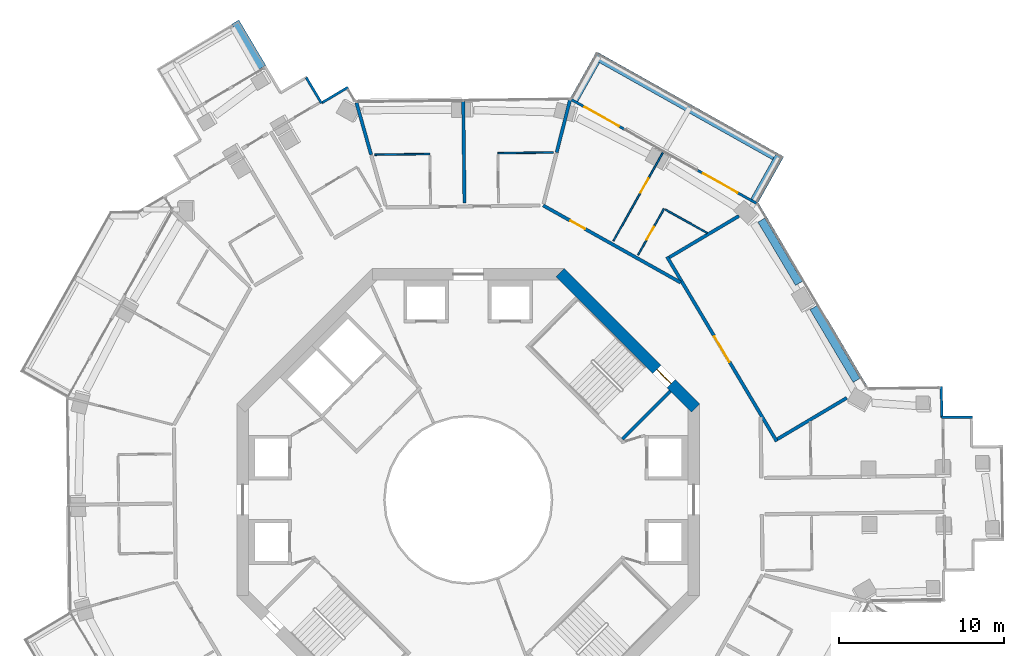
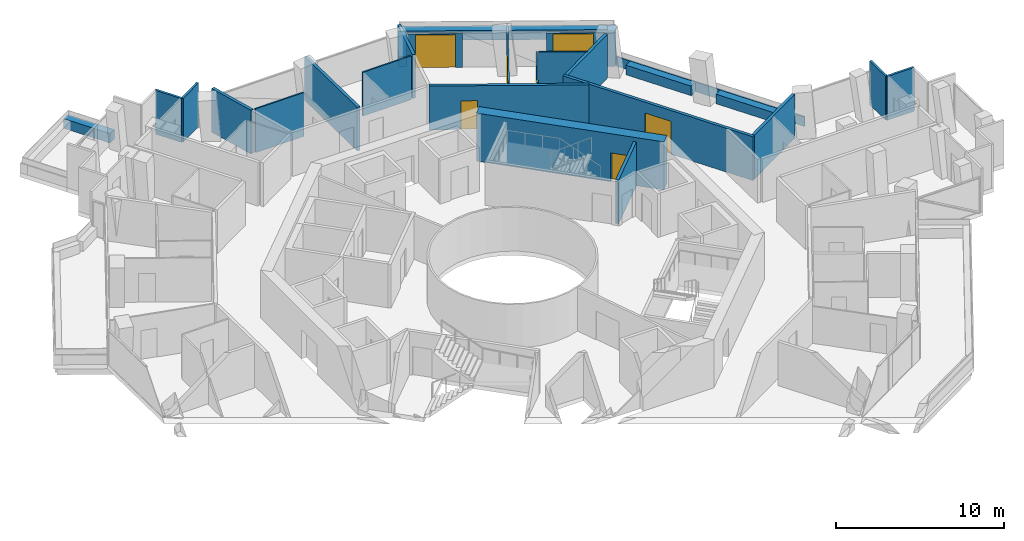
# One storey, part 18 of 21: 27 walls, 7 doors, 7 openings.
"""IFC4 building model written with IfcOpenShell, lengths in metres."""

from ifc_helpers import new_model, si_unit, direction, frame, frame_2d, origin, place, context, subcontext, project, spatial, rectangle, extrude, material, layer, layer_set, type_object, element, fill, save


model = new_model("IFC4")

# Units and contexts
model_context = context("Model", 3, precision=1e-05, world=origin(), true_north=direction((0.0, 1.0)))
body_context = subcontext(model_context, "Body", "Model", "MODEL_VIEW")
ifc_project = project(units=[si_unit("LENGTHUNIT", "METRE"), si_unit("AREAUNIT", "SQUARE_METRE"), si_unit("VOLUMEUNIT", "CUBIC_METRE"), si_unit("PLANEANGLEUNIT", "RADIAN"), si_unit("MASSUNIT", "GRAM", prefix="KILO")], contexts=[model_context])

# Site, building, storey
site_placement = place(None, origin())
site = spatial("IfcSite", under=ifc_project, at=site_placement, CompositionType="ELEMENT")
building_placement = place(site_placement, origin())
building = spatial("IfcBuilding", under=site, at=building_placement, Name="Verdalira Terraces Hotel", CompositionType="ELEMENT")
storey_placement = place(building_placement, frame((0.0, 0.0, 158.5)))
storey = spatial("IfcBuildingStorey", under=building, at=storey_placement, Name="L38", CompositionType="ELEMENT", Elevation=158.5)

# Walls
ifc_material_1 = material(Name="Concrete C40", Category="concrete")
ifc_layer_1 = layer(ifc_material_1, 0.5)
ifc_layer_set_1 = layer_set([ifc_layer_1], Name="Balcony planter trough with tree")
wall_type_1 = type_object("IfcWallType", Name="Balcony planter trough with tree", PredefinedType="SOLIDWALL", material=ifc_layer_set_1)
for number, where, z_axis, x_axis, name in (
    (1, (-12.464355, 26.16333, 0.0), (0.0, 0.0, 1.0), (-0.510877272, 0.859653659, 0.0), "Balcony planter"),
    (2, (17.316162, 18.103271, 0.0), (0.0, 0.0, 1.0), (0.489112217, 0.872220866, 0.0), "Balcony planter"),
):
    element("IfcWall", number, at=place(storey_placement, frame(where, z_axis=z_axis, x_axis=x_axis)), inside=storey, type_object=wall_type_1, Name=name, PredefinedType="SOLIDWALL", context=body_context, shape_type="SweptSolid", body=[
        extrude(rectangle(XDim=3.198975, YDim=0.5, at=frame_2d((1.599609, 0.0))), origin(), (0.0, 0.0, 1.0), 0.699951),
    ])
wall_1_placement = place(storey_placement, frame((18.540527, 20.797607, 0.0), z_axis=(0.0, 0.0, 1.0), x_axis=(-0.872239778, 0.48907849, 0.0)))
element("IfcWall", 3, at=wall_1_placement, inside=storey, type_object=wall_type_1, Name="Balcony planter", PredefinedType="SOLIDWALL", context=body_context, shape_type="SweptSolid", body=[
    extrude(rectangle(XDim=12.5, YDim=0.5, at=frame_2d((6.25, 0.0))), origin(), (0.0, 0.0, 1.0), 0.699951),
])
wall_2_placement = place(storey_placement, frame((7.733154, 26.570801, 0.0), z_axis=(0.0, 0.0, 1.0), x_axis=(-0.489118389, -0.872217405, 0.0)))
element("IfcWall", 4, at=wall_2_placement, inside=storey, type_object=wall_type_1, Name="Balcony planter", PredefinedType="SOLIDWALL", context=body_context, shape_type="SweptSolid", body=[
    extrude(rectangle(XDim=2.698975, YDim=0.5, at=frame_2d((1.349609, 0.0))), origin(), (0.0, 0.0, 1.0), 0.699951),
])
ifc_material_2 = material(Name="Moisture-resistant gypsum board partition")
ifc_layer_2 = layer(ifc_material_2, 0.10009765625)
ifc_layer_set_2 = layer_set([ifc_layer_2], Name="Bathroom partition 100 mm")
wall_type_2 = type_object("IfcWallType", Name="Bathroom partition 100 mm", PredefinedType="PARTITIONING", material=ifc_layer_set_2)
for number, where, z_axis, x_axis, name in (
    (5, (-5.671631, 20.888672, 0.0), (0.0, 0.0, 1.0), (0.999920535, 0.01260649, 0.0), "Bathroom partition"),
    (6, (1.794922, 20.982422, 0.0), (0.0, 0.0, 1.0), (0.999920535, 0.01260649, 0.0), "Bathroom partition"),
):
    element("IfcWall", number, at=place(storey_placement, frame(where, z_axis=z_axis, x_axis=x_axis)), inside=storey, type_object=wall_type_2, Name=name, PredefinedType="PARTITIONING", context=body_context, shape_type="SweptSolid", body=[
        extrude(rectangle(XDim=3.350342, YDim=0.100098, at=frame_2d((1.675293, 0.0))), origin(), (0.0, 0.0, 1.0), 3.189941),
    ])

# Wall, opening, door
wall_3_placement = place(storey_placement, frame((11.791016, 21.02832, 0.0), z_axis=(0.0, 0.0, 1.0), x_axis=(-0.489107358, -0.872223591, 0.0)))
wall_3 = element("IfcWall", 7, at=wall_3_placement, inside=storey, type_object=wall_type_2, Name="Bathroom partition", PredefinedType="PARTITIONING", context=body_context, shape_type="SweptSolid", body=[
    extrude(rectangle(XDim=6.150146, YDim=0.100098, at=frame_2d((3.075195, 0.0))), origin(), (0.0, 0.0, 1.0), 3.189941),
])
opening_1_placement = place(wall_3_placement, frame((1.800049, 0.0, 0.0)))
opening_1 = element("IfcOpeningElement", 8, at=opening_1_placement, cuts=wall_3, Name="Opening L38-134", PredefinedType="OPENING", context=body_context, shape_type="SweptSolid", body=[
    extrude(rectangle(XDim=1.0, YDim=2.100098, at=frame_2d((0.5, 1.050049))), frame((0.0, 0.060059, 0.0), z_axis=(0.0, -1.0, 0.0), x_axis=(1.0, 0.0, 0.0)), (0.0, 0.0, 1.0), 0.120117),
])
ifc_material_3 = material(Name="Timber door", Category="wood")
door_type_1 = type_object("IfcDoorType", Name="Suite internal door 1000 x 2100", OperationType="NOTDEFINED", PredefinedType="DOOR", material=ifc_material_3)
door_1_placement = place(opening_1_placement, origin())
door_1 = element("IfcDoor", 9, at=door_1_placement, inside=storey, type_object=door_type_1, Name="Suite internal door 3810", OperationType="SINGLE_SWING_LEFT", OverallHeight=2.10009765625, OverallWidth=1.0, PredefinedType="DOOR", context=body_context, shape_type="SweptSolid", body=[
    extrude(rectangle(XDim=1.0, YDim=2.100098, at=frame_2d((0.5, 1.050049))), frame((0.0, 0.024902, 0.0), z_axis=(0.0, -1.0, 0.0), x_axis=(1.0, 0.0, 0.0)), (0.0, 0.0, 1.0), 0.050049),
])
fill(opening_1, door_1)

wall_4_placement = place(storey_placement, frame((11.846924, 17.614746, 0.0), z_axis=(0.0, 0.0, 1.0), x_axis=(-0.48909811, -0.872228777, 0.0)))
wall_4 = element("IfcWall", 10, at=wall_4_placement, inside=storey, type_object=wall_type_2, Name="Bathroom partition", PredefinedType="PARTITIONING", context=body_context, shape_type="SweptSolid", body=[
    extrude(rectangle(XDim=3.200195, YDim=0.100098, at=frame_2d((1.600098, 0.0))), origin(), (0.0, 0.0, 1.0), 3.189941),
])
opening_2_placement = place(wall_4_placement, frame((1.25, 0.0, 0.0)))
opening_2 = element("IfcOpeningElement", 11, at=opening_2_placement, cuts=wall_4, Name="Opening L38-135", PredefinedType="OPENING", context=body_context, shape_type="SweptSolid", body=[
    extrude(rectangle(XDim=0.899902, YDim=2.100098, at=frame_2d((0.449951, 1.050049))), frame((0.0, 0.060059, 0.0), z_axis=(0.0, -1.0, 0.0), x_axis=(1.0, 0.0, 0.0)), (0.0, 0.0, 1.0), 0.120117),
])
ifc_material_4 = material(Name="Timber door", Category="wood")
door_type_2 = type_object("IfcDoorType", Name="Bathroom door 900 x 2100", OperationType="NOTDEFINED", PredefinedType="DOOR", material=ifc_material_4)
door_2_placement = place(opening_2_placement, origin())
door_2 = element("IfcDoor", 12, at=door_2_placement, inside=storey, type_object=door_type_2, Name="Bathroom door 3810", OperationType="SINGLE_SWING_LEFT", OverallHeight=2.10009765625, OverallWidth=0.89990234375, PredefinedType="DOOR", context=body_context, shape_type="SweptSolid", body=[
    extrude(rectangle(XDim=0.899902, YDim=2.100098, at=frame_2d((0.449951, 1.050049))), frame((0.0, 0.024902, 0.0), z_axis=(0.0, -1.0, 0.0), x_axis=(1.0, 0.0, 0.0)), (0.0, 0.0, 1.0), 0.050049),
])
fill(opening_2, door_2)

# Walls
wall_5_placement = place(storey_placement, frame((14.474121, 16.141602, 0.0), z_axis=(0.0, 0.0, 1.0), x_axis=(-0.872228533, 0.489098545, 0.0)))
element("IfcWall", 13, at=wall_5_placement, inside=storey, type_object=wall_type_2, Name="Bathroom partition", PredefinedType="PARTITIONING", context=body_context, shape_type="SweptSolid", body=[
    extrude(rectangle(XDim=2.912109, YDim=0.100098, at=frame_2d((1.456055, 0.0))), origin(), (0.0, 0.0, 1.0), 3.189941),
])
ifc_material_5 = material(Name="Concrete C50", Category="concrete")
ifc_layer_3 = layer(ifc_material_5, 0.199951171875)
ifc_layer_set_3 = layer_set([ifc_layer_3], Name="Core RC wall 200 C50")
wall_type_3 = type_object("IfcWallType", Name="Core RC wall 200 C50", PredefinedType="SOLIDWALL", material=ifc_layer_set_3)
wall_6_placement = place(storey_placement, frame((9.33374, 3.677002, 0.0), z_axis=(0.0, 0.0, 1.0), x_axis=(0.707106781, 0.707106781, 0.0)))
element("IfcWall", 14, at=wall_6_placement, inside=storey, type_object=wall_type_3, Name="L38 stair ST1 end wall 1", PredefinedType="SOLIDWALL", context=body_context, shape_type="SweptSolid", body=[
    extrude(rectangle(XDim=4.100098, YDim=0.199951, at=frame_2d((2.050049, 0.0))), origin(), (0.0, 0.0, 1.0), 3.189941),
])

# Wall, opening, door
ifc_material_6 = material(Name="Concrete C60", Category="concrete")
ifc_layer_4 = layer(ifc_material_6, 0.699951171875)
ifc_layer_set_4 = layer_set([ifc_layer_4], Name="Core wall 700 C60")
wall_type_4 = type_object("IfcWallType", Name="Core wall 700 C60", PredefinedType="SHEAR", material=ifc_layer_set_4)
wall_7_placement = place(storey_placement, frame((13.752441, 5.551514, 0.0), z_axis=(0.0, 0.0, 1.0), x_axis=(-0.707106781, 0.707106781, 0.0)))
wall_7 = element("IfcWall", 15, at=wall_7_placement, inside=storey, type_object=wall_type_4, Name="Core wall CW-L38-2", PredefinedType="SHEAR", context=body_context, shape_type="SweptSolid", body=[
    extrude(rectangle(XDim=11.5979, YDim=0.699951, at=frame_2d((5.798828, 0.0))), origin(), (0.0, 0.0, 1.0), 3.5),
])
opening_3_placement = place(wall_7_placement, frame((2.099121, 0.0, 0.0)))
opening_3 = element("IfcOpeningElement", 16, at=opening_3_placement, cuts=wall_7, Name="Opening L38-816", PredefinedType="OPENING", context=body_context, shape_type="SweptSolid", body=[
    extrude(rectangle(XDim=1.199951, YDim=2.100098, at=frame_2d((0.600098, 1.050049))), frame((0.0, 0.359863, 0.0), z_axis=(0.0, -1.0, 0.0), x_axis=(1.0, 0.0, 0.0)), (0.0, 0.0, 1.0), 0.719971),
])
ifc_material_7 = material(Name="Steel fire door", Category="steel")
door_type_3 = type_object("IfcDoorType", Name="Stair door 1200 x 2100", OperationType="NOTDEFINED", PredefinedType="DOOR", material=ifc_material_7)
door_3_placement = place(opening_3_placement, origin())
door_3 = element("IfcDoor", 17, at=door_3_placement, inside=storey, type_object=door_type_3, Name="Stair exit door ST1 L38", OperationType="SINGLE_SWING_LEFT", OverallHeight=2.10009765625, OverallWidth=1.199951171875, PredefinedType="DOOR", context=body_context, shape_type="SweptSolid", body=[
    extrude(rectangle(XDim=1.199951, YDim=2.100098, at=frame_2d((0.600098, 1.050049))), frame((0.0, 0.024902, 0.0), z_axis=(0.0, -1.0, 0.0), x_axis=(1.0, 0.0, 0.0)), (0.0, 0.0, 1.0), 0.050049),
])
fill(opening_3, door_3)

# Walls
ifc_material_8 = material(Name="Fire-rated gypsum board wall")
ifc_layer_5 = layer(ifc_material_8, 0.199951171875)
ifc_layer_set_5 = layer_set([ifc_layer_5], Name="Demising wall 200 mm")
wall_type_5 = type_object("IfcWallType", Name="Demising wall 200 mm", PredefinedType="SOLIDWALL", material=ifc_layer_set_5)
wall_8_placement = place(storey_placement, frame((-6.763672, 24.030273, 0.0), z_axis=(0.0, 0.0, 1.0), x_axis=(0.270920786, -0.962601645, 0.0)))
element("IfcWall", 18, at=wall_8_placement, inside=storey, type_object=wall_type_5, Name="Demising wall", PredefinedType="SOLIDWALL", context=body_context, shape_type="SweptSolid", body=[
    extrude(rectangle(XDim=3.268555, YDim=0.199951, at=frame_2d((1.634277, 0.0))), origin(), (0.0, 0.0, 1.0), 3.189941),
])
wall_9_placement = place(storey_placement, frame((-0.225586, 17.956787, 0.0), z_axis=(0.0, 0.0, 1.0), x_axis=(-0.012583862, 0.99992082, 0.0)))
element("IfcWall", 19, at=wall_9_placement, inside=storey, type_object=wall_type_5, Name="Demising wall", PredefinedType="SOLIDWALL", context=body_context, shape_type="SweptSolid", body=[
    extrude(rectangle(XDim=6.150146, YDim=0.199951, at=frame_2d((3.075195, 0.0))), origin(), (0.0, 0.0, 1.0), 3.189941),
])
wall_10_placement = place(storey_placement, frame((5.351562, 21.025146, 0.0), z_axis=(0.0, 0.0, 1.0), x_axis=(0.246646118, 0.969105615, 0.0)))
element("IfcWall", 20, at=wall_10_placement, inside=storey, type_object=wall_type_5, Name="Demising wall", PredefinedType="SOLIDWALL", context=body_context, shape_type="SweptSolid", body=[
    extrude(rectangle(XDim=3.268555, YDim=0.199951, at=frame_2d((1.634277, 0.0))), origin(), (0.0, 0.0, 1.0), 3.189941),
])

# Wall, opening, door
ifc_material_9 = material(Name="Fire-rated gypsum board wall")
ifc_layer_6 = layer(ifc_material_9, 0.199951171875)
ifc_layer_set_6 = layer_set([ifc_layer_6], Name="Guest corridor wall 200 mm")
wall_type_6 = type_object("IfcWallType", Name="Guest corridor wall 200 mm", PredefinedType="SOLIDWALL", material=ifc_layer_set_6)
wall_11_placement = place(storey_placement, frame((4.534912, 17.81665, 0.0), z_axis=(0.0, 0.0, 1.0), x_axis=(0.872241337, -0.48907571, 0.0)))
wall_11 = element("IfcWall", 21, at=wall_11_placement, inside=storey, type_object=wall_type_6, Name="Guest corridor wall", PredefinedType="SOLIDWALL", context=body_context, shape_type="SweptSolid", body=[
    extrude(rectangle(XDim=9.536377, YDim=0.199951, at=frame_2d((4.768066, 0.0))), origin(), (0.0, 0.0, 1.0), 3.189941),
])
opening_4_placement = place(wall_11_placement, frame((1.899902, 0.0, 0.0)))
opening_4 = element("IfcOpeningElement", 22, at=opening_4_placement, cuts=wall_11, Name="Opening L38-133", PredefinedType="OPENING", context=body_context, shape_type="SweptSolid", body=[
    extrude(rectangle(XDim=1.0, YDim=2.100098, at=frame_2d((0.5, 1.050049))), frame((0.0, 0.109863, 0.0), z_axis=(0.0, -1.0, 0.0), x_axis=(1.0, 0.0, 0.0)), (0.0, 0.0, 1.0), 0.219971),
])
ifc_material_10 = material(Name="Timber fire door", Category="wood")
door_type_4 = type_object("IfcDoorType", Name="Guest entry door 1000 x 2100", OperationType="NOTDEFINED", PredefinedType="DOOR", material=ifc_material_10)
door_4_placement = place(opening_4_placement, origin())
door_4 = element("IfcDoor", 23, at=door_4_placement, inside=storey, type_object=door_type_4, Name="Guest entry door 3810", OperationType="SINGLE_SWING_LEFT", OverallHeight=2.10009765625, OverallWidth=1.0, PredefinedType="DOOR", context=body_context, shape_type="SweptSolid", body=[
    extrude(rectangle(XDim=1.0, YDim=2.100098, at=frame_2d((0.5, 1.050049))), frame((0.0, 0.024902, 0.0), z_axis=(0.0, -1.0, 0.0), x_axis=(1.0, 0.0, 0.0)), (0.0, 0.0, 1.0), 0.050049),
])
fill(opening_4, door_4)

ifc_material_11 = material(Name="Terracotta cladding", Category="masonry")
ifc_layer_7 = layer(ifc_material_11, 0.199951171875)
ifc_layer_set_7 = layer_set([ifc_layer_7], Name="Loggia back wall 200")
wall_type_7 = type_object("IfcWallType", Name="Loggia back wall 200", PredefinedType="SOLIDWALL", material=ifc_layer_set_7)
wall_12_placement = place(storey_placement, frame((12.031982, 14.710693, 0.0), z_axis=(0.0, 0.0, 1.0), x_axis=(0.510837252, -0.859677441, 0.0)))
wall_12 = element("IfcWall", 24, at=wall_12_placement, inside=storey, type_object=wall_type_7, Name="Loggia back wall", PredefinedType="SOLIDWALL", context=body_context, shape_type="SweptSolid", body=[
    extrude(rectangle(XDim=13.0, YDim=0.199951, at=frame_2d((6.5, 0.0))), origin(), (0.0, 0.0, 1.0), 3.189941),
])
opening_5_placement = place(wall_12_placement, frame((5.600098, 0.0, 0.0)))
opening_5 = element("IfcOpeningElement", 25, at=opening_5_placement, cuts=wall_12, Name="Opening L38-L01", PredefinedType="OPENING", context=body_context, shape_type="SweptSolid", body=[
    extrude(rectangle(XDim=1.800049, YDim=2.399902, at=frame_2d((0.899902, 1.199951))), frame((0.0, 0.109863, 0.0), z_axis=(0.0, -1.0, 0.0), x_axis=(1.0, 0.0, 0.0)), (0.0, 0.0, 1.0), 0.219971),
])
ifc_material_12 = material(Name="Clear glass", Category="glass")
door_type_5 = type_object("IfcDoorType", Name="Garden double door 1800x2400", OperationType="NOTDEFINED", PredefinedType="DOOR", material=ifc_material_12)
door_5_placement = place(opening_5_placement, origin())
door_5 = element("IfcDoor", 26, at=door_5_placement, inside=storey, type_object=door_type_5, Name="Loggia double door", OperationType="DOUBLE_DOOR_SINGLE_SWING", OverallHeight=2.39990234375, OverallWidth=1.800048828125, PredefinedType="DOOR", context=body_context, shape_type="SweptSolid", body=[
    extrude(rectangle(XDim=1.800049, YDim=2.399902, at=frame_2d((0.899902, 1.199951))), frame((0.0, 0.024902, 0.0), z_axis=(0.0, -1.0, 0.0), x_axis=(1.0, 0.0, 0.0)), (0.0, 0.0, 1.0), 0.050049),
])
fill(opening_5, door_5)

# Walls
wall_13_placement = place(storey_placement, frame((22.911133, 6.169678, 0.0), z_axis=(0.0, 0.0, 1.0), x_axis=(-0.859670428, -0.510849053, 0.0)))
element("IfcWall", 27, at=wall_13_placement, inside=storey, type_object=wall_type_7, Name="Loggia side wall", PredefinedType="SOLIDWALL", context=body_context, shape_type="SweptSolid", body=[
    extrude(rectangle(XDim=4.889404, YDim=0.199951, at=frame_2d((2.444824, 0.0))), origin(), (0.0, 0.0, 1.0), 3.189941),
])
wall_14_placement = place(storey_placement, frame((16.384521, 17.180908, 0.0), z_axis=(0.0, 0.0, 1.0), x_axis=(-0.859664129, -0.510859653, 0.0)))
element("IfcWall", 28, at=wall_14_placement, inside=storey, type_object=wall_type_7, Name="Loggia side wall", PredefinedType="SOLIDWALL", context=body_context, shape_type="SweptSolid", body=[
    extrude(rectangle(XDim=4.903809, YDim=0.199951, at=frame_2d((2.451904, 0.0))), origin(), (0.0, 0.0, 1.0), 3.189941),
])
ifc_material_13 = material(Name="Concrete C40", Category="concrete")
ifc_layer_8 = layer(ifc_material_13, 0.5)
ifc_layer_set_8 = layer_set([ifc_layer_8], Name="Loggia planter trough with tree")
wall_type_8 = type_object("IfcWallType", Name="Loggia planter trough with tree", PredefinedType="SOLIDWALL", material=ifc_layer_set_8)
wall_15_placement = place(storey_placement, frame((23.511963, 7.234375, 0.0), z_axis=(0.0, 0.0, 1.0), x_axis=(-0.510835279, 0.859678613, 0.0)))
element("IfcWall", 29, at=wall_15_placement, inside=storey, type_object=wall_type_8, Name="Loggia planter", PredefinedType="SOLIDWALL", context=body_context, shape_type="SweptSolid", body=[
    extrude(rectangle(XDim=5.116699, YDim=0.5, at=frame_2d((2.55835, 0.0))), origin(), (0.0, 0.0, 1.0), 0.699951),
])
wall_16_placement = place(storey_placement, frame((20.024414, 13.103516, 0.0), z_axis=(0.0, 0.0, 1.0), x_axis=(-0.510847726, 0.859671217, 0.0)))
element("IfcWall", 30, at=wall_16_placement, inside=storey, type_object=wall_type_8, Name="Loggia planter", PredefinedType="SOLIDWALL", context=body_context, shape_type="SweptSolid", body=[
    extrude(rectangle(XDim=4.454102, YDim=0.5, at=frame_2d((2.227051, 0.0))), origin(), (0.0, 0.0, 1.0), 0.699951),
])
ifc_material_14 = material(Name="Concrete C40", Category="concrete")
ifc_layer_9 = layer(ifc_material_14, 0.10009765625)
ifc_layer_set_9 = layer_set([ifc_layer_9], Name="Loggia upstand 100")
wall_type_9 = type_object("IfcWallType", Name="Loggia upstand 100", PredefinedType="SOLIDWALL", material=ifc_layer_set_9)
wall_17_placement = place(storey_placement, frame((24.09082, 6.847656, 0.0), z_axis=(0.0, 0.0, 1.0), x_axis=(-0.510839218, 0.859676272, 0.0)))
element("IfcWall", 31, at=wall_17_placement, inside=storey, type_object=wall_type_9, Name="Loggia upstand", PredefinedType="SOLIDWALL", context=body_context, shape_type="SweptSolid", body=[
    extrude(rectangle(XDim=12.839844, YDim=0.100098, at=frame_2d((6.419922, 0.0))), origin(), (0.0, 0.0, 1.0), 0.699951),
])
ifc_material_15 = material(Name="Terracotta cladding", Category="masonry")
ifc_layer_10 = layer(ifc_material_15, 0.14990234375)
ifc_layer_set_10 = layer_set([ifc_layer_10], Name="Terracotta clad wall 150")
wall_type_10 = type_object("IfcWallType", Name="Terracotta clad wall 150", PredefinedType="SOLIDWALL", material=ifc_layer_set_10)
wall_18_placement = place(storey_placement, frame((-7.276855, 24.969971, 0.0), z_axis=(0.0, 0.0, 1.0), x_axis=(-0.859679632, -0.510833565, 0.0)))
element("IfcWall", 32, at=wall_18_placement, inside=storey, type_object=wall_type_10, Name="Terracotta cladding wall", PredefinedType="SOLIDWALL", context=body_context, shape_type="SweptSolid", body=[
    extrude(rectangle(XDim=1.875, YDim=0.149902, at=frame_2d((0.9375, 0.0))), origin(), (0.0, 0.0, 1.0), 3.189941),
])
wall_19_placement = place(storey_placement, frame((-8.888672, 24.012207, 0.0), z_axis=(0.0, 0.0, 1.0), x_axis=(-0.510921016, 0.859627661, 0.0)))
element("IfcWall", 33, at=wall_19_placement, inside=storey, type_object=wall_type_10, Name="Terracotta cladding wall", PredefinedType="SOLIDWALL", context=body_context, shape_type="SweptSolid", body=[
    extrude(rectangle(XDim=1.800049, YDim=0.149902, at=frame_2d((0.899902, 0.0))), origin(), (0.0, 0.0, 1.0), 3.189941),
])
wall_20_placement = place(storey_placement, frame((30.531494, 5.009033, 0.0), z_axis=(0.0, 0.0, 1.0), x_axis=(-0.999921884, -0.012499024, 0.0)))
element("IfcWall", 34, at=wall_20_placement, inside=storey, type_object=wall_type_10, Name="Terracotta cladding wall", PredefinedType="SOLIDWALL", context=body_context, shape_type="SweptSolid", body=[
    extrude(rectangle(XDim=1.875244, YDim=0.149902, at=frame_2d((0.9375, 0.0))), origin(), (0.0, 0.0, 1.0), 3.189941),
])
wall_21_placement = place(storey_placement, frame((28.656494, 4.985596, 0.0), z_axis=(0.0, 0.0, 1.0), x_axis=(-0.012500651, 0.999921864, 0.0)))
element("IfcWall", 35, at=wall_21_placement, inside=storey, type_object=wall_type_10, Name="Terracotta cladding wall", PredefinedType="SOLIDWALL", context=body_context, shape_type="SweptSolid", body=[
    extrude(rectangle(XDim=1.875, YDim=0.149902, at=frame_2d((0.9375, 0.0))), origin(), (0.0, 0.0, 1.0), 3.189941),
])

# Wall, opening, door
ifc_material_16 = material(Name="Terracotta cladding", Category="masonry")
ifc_layer_11 = layer(ifc_material_16, 0.14990234375)
ifc_layer_set_11 = layer_set([ifc_layer_11], Name="Terracotta door pier 150")
wall_type_11 = type_object("IfcWallType", Name="Terracotta door pier 150", PredefinedType="SOLIDWALL", material=ifc_layer_set_11)
wall_22_placement = place(storey_placement, frame((17.444824, 17.944092, 0.0), z_axis=(0.0, 0.0, 1.0), x_axis=(-0.872255586, 0.489050297, 0.0)))
wall_22 = element("IfcWall", 36, at=wall_22_placement, inside=storey, type_object=wall_type_11, Name="Terracotta door pier", PredefinedType="SOLIDWALL", context=body_context, shape_type="SweptSolid", body=[
    extrude(rectangle(XDim=4.10791, YDim=0.149902, at=frame_2d((2.053955, 0.0))), origin(), (0.0, 0.0, 1.0), 2.475098),
])
opening_6_placement = place(wall_22_placement, frame((1.308105, 0.0, 0.0)))
opening_6 = element("IfcOpeningElement", 37, at=opening_6_placement, cuts=wall_22, Name="Opening L38-B11", PredefinedType="OPENING", context=body_context, shape_type="SweptSolid", body=[
    extrude(rectangle(XDim=2.399902, YDim=2.399902, at=frame_2d((1.199951, 1.199951))), frame((0.0, 0.084961, 0.0), z_axis=(0.0, -1.0, 0.0), x_axis=(1.0, 0.0, 0.0)), (0.0, 0.0, 1.0), 0.169922),
])
ifc_material_17 = material(Name="Clear glass", Category="glass")
door_type_6 = type_object("IfcDoorType", Name="Balcony sliding door 2400x2400", OperationType="NOTDEFINED", PredefinedType="DOOR", material=ifc_material_17)
door_6_placement = place(opening_6_placement, origin())
door_6 = element("IfcDoor", 38, at=door_6_placement, inside=storey, type_object=door_type_6, Name="Balcony sliding door", OperationType="SLIDING_TO_LEFT", OverallHeight=2.39990234375, OverallWidth=2.39990234375, PredefinedType="DOOR", context=body_context, shape_type="SweptSolid", body=[
    extrude(rectangle(XDim=2.399902, YDim=2.399902, at=frame_2d((1.199951, 1.199951))), frame((0.0, 0.024902, 0.0), z_axis=(0.0, -1.0, 0.0), x_axis=(1.0, 0.0, 0.0)), (0.0, 0.0, 1.0), 0.050049),
])
fill(opening_6, door_6)

wall_23_placement = place(storey_placement, frame((9.481445, 22.40918, 0.0), z_axis=(0.0, 0.0, 1.0), x_axis=(-0.872247803, 0.489064178, 0.0)))
wall_23 = element("IfcWall", 39, at=wall_23_placement, inside=storey, type_object=wall_type_11, Name="Terracotta door pier", PredefinedType="SOLIDWALL", context=body_context, shape_type="SweptSolid", body=[
    extrude(rectangle(XDim=3.709961, YDim=0.149902, at=frame_2d((1.85498, 0.0))), origin(), (0.0, 0.0, 1.0), 2.475098),
])
opening_7_placement = place(wall_23_placement, frame((0.399902, 0.0, 0.0)))
opening_7 = element("IfcOpeningElement", 40, at=opening_7_placement, cuts=wall_23, Name="Opening L38-B12", PredefinedType="OPENING", context=body_context, shape_type="SweptSolid", body=[
    extrude(rectangle(XDim=2.399902, YDim=2.399902, at=frame_2d((1.199951, 1.199951))), frame((0.0, 0.084961, 0.0), z_axis=(0.0, -1.0, 0.0), x_axis=(1.0, 0.0, 0.0)), (0.0, 0.0, 1.0), 0.169922),
])
door_7_placement = place(opening_7_placement, origin())
door_7 = element("IfcDoor", 41, at=door_7_placement, inside=storey, type_object=door_type_6, Name="Balcony sliding door", OperationType="SLIDING_TO_RIGHT", OverallHeight=2.39990234375, OverallWidth=2.39990234375, PredefinedType="DOOR", context=body_context, shape_type="SweptSolid", body=[
    extrude(rectangle(XDim=2.399902, YDim=2.399902, at=frame_2d((1.199951, 1.199951))), frame((0.0, 0.024902, 0.0), z_axis=(0.0, -1.0, 0.0), x_axis=(1.0, 0.0, 0.0)), (0.0, 0.0, 1.0), 0.050049),
])
fill(opening_7, door_7)

save(model, "model.ifc")
